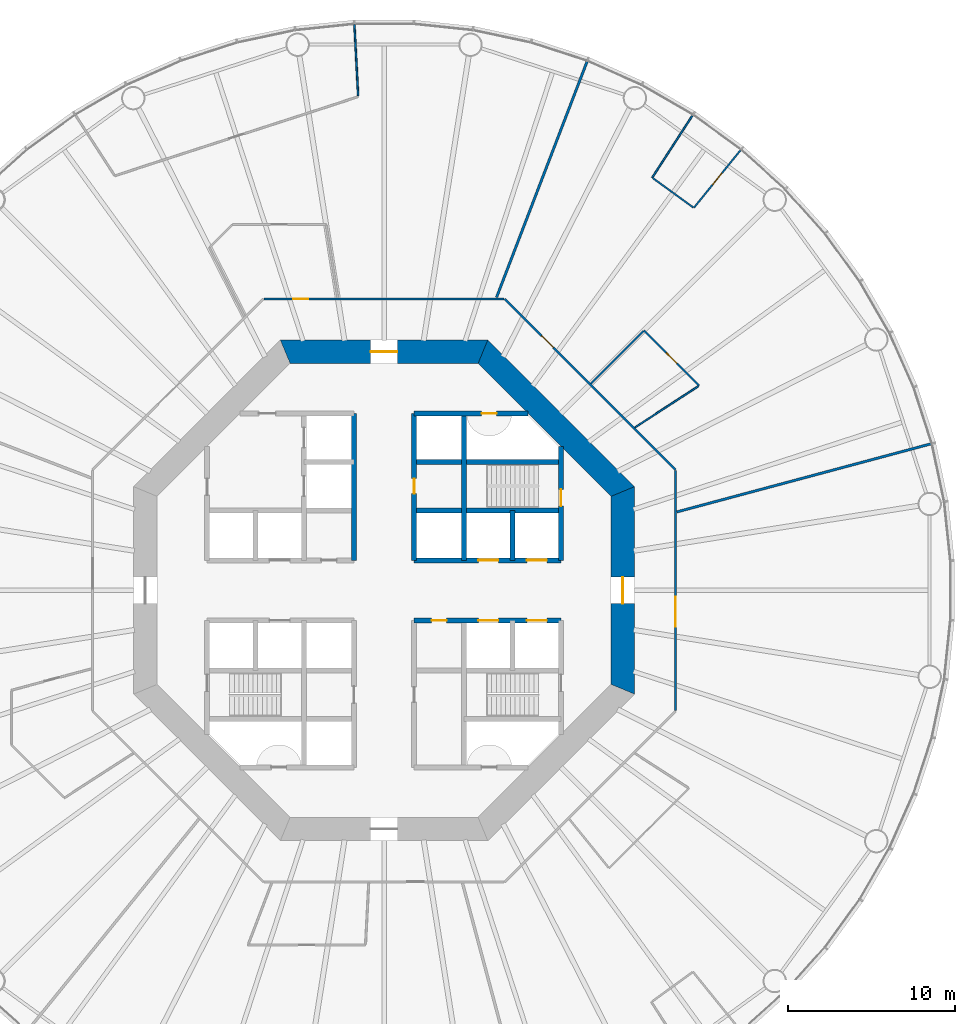
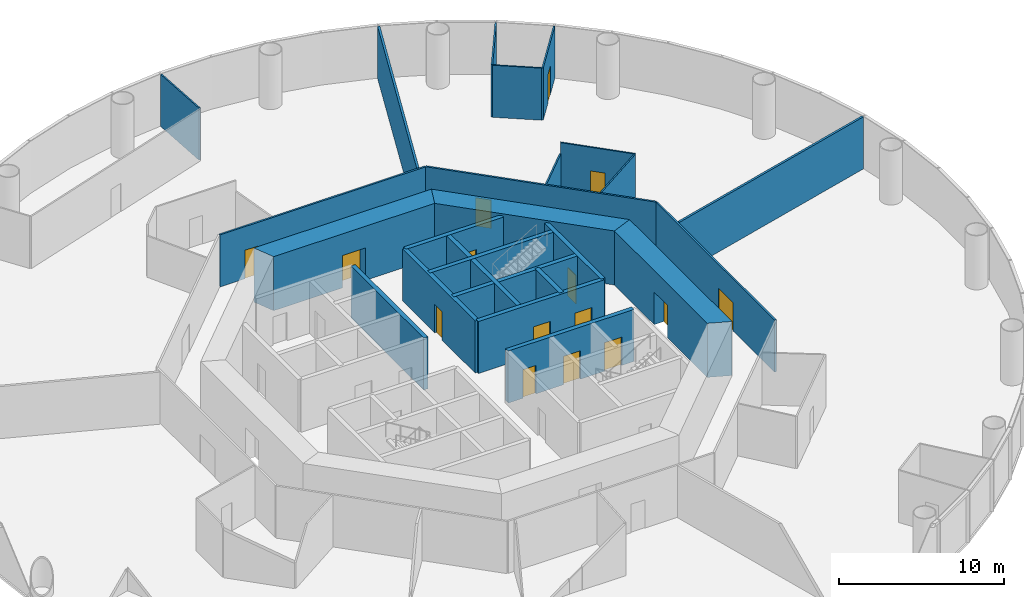
# One storey, part 5 of 13: 25 walls, 15 doors, 15 openings.
"""IFC4 building model written with IfcOpenShell, lengths in metres."""

from ifc_helpers import new_model, si_unit, direction, frame, frame_2d, origin, place, context, subcontext, project, spatial, polyline, rectangle, outline, extrude, material, layer, layer_set, type_object, element, fill, save


model = new_model("IFC4")

# Units and contexts
model_context = context("Model", 3, precision=1e-05, world=origin(), true_north=direction((0.0, 1.0)))
body_context = subcontext(model_context, "Body", "Model", "MODEL_VIEW")
ifc_project = project(units=[si_unit("LENGTHUNIT", "METRE"), si_unit("AREAUNIT", "SQUARE_METRE"), si_unit("VOLUMEUNIT", "CUBIC_METRE"), si_unit("PLANEANGLEUNIT", "RADIAN"), si_unit("MASSUNIT", "GRAM", prefix="KILO")], contexts=[model_context])

# Site, building, storey
site_placement = place(None, origin())
site = spatial("IfcSite", under=ifc_project, at=site_placement, CompositionType="ELEMENT")
building_placement = place(site_placement, origin())
building = spatial("IfcBuilding", under=site, at=building_placement, Name="Entoto Ring Tower", CompositionType="ELEMENT")
storey_placement = place(building_placement, frame((0.0, 0.0, 26.0)))
storey = spatial("IfcBuildingStorey", under=building, at=storey_placement, Name="L04", CompositionType="ELEMENT", Elevation=26.0)

# Wall, opening, door
ifc_material_1 = material(Name="Concrete C40/50", Category="concrete")
ifc_layer_1 = layer(ifc_material_1, 0.300048828125)
ifc_layer_set_1 = layer_set([ifc_layer_1], Name="Concrete C40/50")
wall_type_1 = type_object("IfcWallType", Name="Core enclosure wall 300 mm reinforced concrete", PredefinedType="SOLIDWALL", material=ifc_layer_set_1)
wall_1_placement = place(storey_placement, frame((100.60009765625, 81.800048828125, 0.0), z_axis=(0.0, 0.0, 1.0), x_axis=(0.0, 1.0, 0.0)))
wall_1 = element("IfcWall", 1, at=wall_1_placement, inside=storey, type_object=wall_type_1, Name="wall-L04-002", PredefinedType="SOLIDWALL", context=body_context, shape_type="SweptSolid", body=[
    extrude(rectangle(XDim=6.833251953125, YDim=0.300048828125, at=frame_2d((3.41650390625, 0.0))), origin(), (0.0, 0.0, 1.0), 3.85009765625),
])
opening_1_placement = place(wall_1_placement, frame((3.25, 0.0, 0.0)))
opening_1 = element("IfcOpeningElement", 2, at=opening_1_placement, cuts=wall_1, Name="Opening K-55", PredefinedType="OPENING", context=body_context, shape_type="SweptSolid", body=[
    extrude(rectangle(XDim=1.0, YDim=2.10009765625, at=frame_2d((0.5, 1.050048828125))), frame((0.0, 0.16015625, 0.0), z_axis=(0.0, -1.0, 0.0), x_axis=(1.0, 0.0, 0.0)), (0.0, 0.0, 1.0), 0.320068359375),
])
ifc_material_2 = material(Name="Steel door leaf, fire rated", Category="steel")
ifc_layer_2 = layer(ifc_material_2, 0.050048828125)
ifc_layer_set_2 = layer_set([ifc_layer_2], Name="Steel door leaf, fire rated")
door_type_1 = type_object("IfcDoorType", Name="Fire door FD60 1000 x 2100 single leaf", OperationType="NOTDEFINED", PredefinedType="DOOR", material=ifc_layer_set_2)
door_1_placement = place(opening_1_placement, origin())
door_1 = element("IfcDoor", 3, at=door_1_placement, inside=storey, type_object=door_type_1, Name="Door K-55", OperationType="SINGLE_SWING_LEFT", OverallHeight=2.10009765625, OverallWidth=1.0, PredefinedType="DOOR", context=body_context, shape_type="SweptSolid", body=[
    extrude(rectangle(XDim=1.0, YDim=2.10009765625, at=frame_2d((0.5, 1.050048828125))), frame((0.0, 0.02490234375, 0.0), z_axis=(0.0, -1.0, 0.0), x_axis=(1.0, 0.0, 0.0)), (0.0, 0.0, 1.0), 0.050048828125),
])
fill(opening_1, door_1)

# Walls
wall_2_placement = place(storey_placement, frame((97.699951171875, 81.800048828125, 0.0), z_axis=(0.0, 0.0, 1.0), x_axis=(0.0, 1.0, 0.0)))
element("IfcWall", 4, at=wall_2_placement, inside=storey, type_object=wall_type_1, Name="wall-L04-004", PredefinedType="SOLIDWALL", context=body_context, shape_type="SweptSolid", body=[
    extrude(rectangle(XDim=3.0, YDim=0.300048828125, at=frame_2d((1.5, 0.0))), origin(), (0.0, 0.0, 1.0), 3.85009765625),
])
wall_3_placement = place(storey_placement, frame((94.800048828125, 81.800048828125, 0.0), z_axis=(0.0, 0.0, 1.0), x_axis=(0.0, 1.0, 0.0)))
element("IfcWall", 5, at=wall_3_placement, inside=storey, type_object=wall_type_1, Name="wall-L04-006", PredefinedType="SOLIDWALL", context=body_context, shape_type="SweptSolid", body=[
    extrude(rectangle(XDim=8.800048828125, YDim=0.300048828125, at=frame_2d((4.39990234375, 0.0))), origin(), (0.0, 0.0, 1.0), 3.85009765625),
])

# Wall, opening, door
wall_4_placement = place(storey_placement, frame((91.800048828125, 81.800048828125, 0.0), z_axis=(0.0, 0.0, 1.0), x_axis=(0.0, 1.0, 0.0)))
wall_4 = element("IfcWall", 6, at=wall_4_placement, inside=storey, type_object=wall_type_1, Name="wall-L04-008", PredefinedType="SOLIDWALL", context=body_context, shape_type="SweptSolid", body=[
    extrude(rectangle(XDim=8.800048828125, YDim=0.300048828125, at=frame_2d((4.39990234375, 0.0))), origin(), (0.0, 0.0, 1.0), 3.85009765625),
])
opening_2_placement = place(wall_4_placement, frame((4.0, 0.0, 0.0)))
opening_2 = element("IfcOpeningElement", 7, at=opening_2_placement, cuts=wall_4, Name="Opening K-11", PredefinedType="OPENING", context=body_context, shape_type="SweptSolid", body=[
    extrude(rectangle(XDim=0.89990234375, YDim=2.10009765625, at=frame_2d((0.449951171875, 1.050048828125))), frame((0.0, 0.16015625, 0.0), z_axis=(0.0, -1.0, 0.0), x_axis=(1.0, 0.0, 0.0)), (0.0, 0.0, 1.0), 0.320068359375),
])
ifc_material_3 = material(Name="Steel door leaf, fire rated", Category="steel")
ifc_layer_3 = layer(ifc_material_3, 0.050048828125)
ifc_layer_set_3 = layer_set([ifc_layer_3], Name="Steel door leaf, fire rated")
door_type_2 = type_object("IfcDoorType", Name="Core door 900 x 2100 single leaf", OperationType="NOTDEFINED", PredefinedType="DOOR", material=ifc_layer_set_3)
door_2_placement = place(opening_2_placement, origin())
door_2 = element("IfcDoor", 8, at=door_2_placement, inside=storey, type_object=door_type_2, Name="Door K-11", OperationType="SINGLE_SWING_RIGHT", OverallHeight=2.10009765625, OverallWidth=0.89990234375, PredefinedType="DOOR", context=body_context, shape_type="SweptSolid", body=[
    extrude(rectangle(XDim=0.89990234375, YDim=2.10009765625, at=frame_2d((0.449951171875, 1.050048828125))), frame((0.0, 0.02490234375, 0.0), z_axis=(0.0, -1.0, 0.0), x_axis=(1.0, 0.0, 0.0)), (0.0, 0.0, 1.0), 0.050048828125),
])
fill(opening_2, door_2)

# Wall
wall_5_placement = place(storey_placement, frame((88.199951171875, 81.800048828125, 0.0), z_axis=(0.0, 0.0, 1.0), x_axis=(0.0, 1.0, 0.0)))
element("IfcWall", 9, at=wall_5_placement, inside=storey, type_object=wall_type_1, Name="wall-L04-010", PredefinedType="SOLIDWALL", context=body_context, shape_type="SweptSolid", body=[
    extrude(rectangle(XDim=8.800048828125, YDim=0.300048828125, at=frame_2d((4.39990234375, 0.0))), origin(), (0.0, 0.0, 1.0), 3.85009765625),
])

# Wall, openings, doors
wall_6_placement = place(storey_placement, frame((91.800048828125, 78.199951171875, 0.0), z_axis=(0.0, 0.0, 1.0), x_axis=(1.0, 0.0, 0.0)))
wall_6 = element("IfcWall", 10, at=wall_6_placement, inside=storey, type_object=wall_type_1, Name="wall-L04-024", PredefinedType="SOLIDWALL", context=body_context, shape_type="SweptSolid", body=[
    extrude(rectangle(XDim=8.800048828125, YDim=0.300048828125, at=frame_2d((4.39990234375, 0.0))), origin(), (0.0, 0.0, 1.0), 3.85009765625),
])
opening_3_placement = place(wall_6_placement, frame((3.85009765625, 0.0, 0.0)))
opening_3 = element("IfcOpeningElement", 11, at=opening_3_placement, cuts=wall_6, Name="Opening LD", PredefinedType="OPENING", context=body_context, shape_type="SweptSolid", body=[
    extrude(rectangle(XDim=1.199951171875, YDim=2.10009765625, at=frame_2d((0.60009765625, 1.050048828125))), frame((0.0, 0.16015625, 0.0), z_axis=(0.0, -1.0, 0.0), x_axis=(1.0, 0.0, 0.0)), (0.0, 0.0, 1.0), 0.320068359375),
])
opening_4_placement = place(wall_6_placement, frame((6.75, 0.0, 0.0)))
opening_4 = element("IfcOpeningElement", 12, at=opening_4_placement, cuts=wall_6, Name="Opening LD", PredefinedType="OPENING", context=body_context, shape_type="SweptSolid", body=[
    extrude(rectangle(XDim=1.199951171875, YDim=2.10009765625, at=frame_2d((0.60009765625, 1.050048828125))), frame((0.0, 0.16015625, 0.0), z_axis=(0.0, -1.0, 0.0), x_axis=(1.0, 0.0, 0.0)), (0.0, 0.0, 1.0), 0.320068359375),
])
opening_5_placement = place(wall_6_placement, frame((1.050048828125, 0.0, 0.0)))
opening_5 = element("IfcOpeningElement", 13, at=opening_5_placement, cuts=wall_6, Name="Opening K-15", PredefinedType="OPENING", context=body_context, shape_type="SweptSolid", body=[
    extrude(rectangle(XDim=0.89990234375, YDim=2.10009765625, at=frame_2d((0.449951171875, 1.050048828125))), frame((0.0, 0.16015625, 0.0), z_axis=(0.0, -1.0, 0.0), x_axis=(1.0, 0.0, 0.0)), (0.0, 0.0, 1.0), 0.320068359375),
])
door_3_placement = place(opening_5_placement, frame((0.89990234375, 0.0, 0.0), z_axis=(0.0, 0.0, 1.0), x_axis=(-1.0, 0.0, 0.0)))
door_3 = element("IfcDoor", 14, at=door_3_placement, inside=storey, type_object=door_type_2, Name="Door K-15", OperationType="SINGLE_SWING_RIGHT", OverallHeight=2.10009765625, OverallWidth=0.89990234375, PredefinedType="DOOR", context=body_context, shape_type="SweptSolid", body=[
    extrude(rectangle(XDim=0.89990234375, YDim=2.10009765625, at=frame_2d((0.449951171875, 1.050048828125))), frame((0.0, 0.02490234375, 0.0), z_axis=(0.0, -1.0, 0.0), x_axis=(1.0, 0.0, 0.0)), (0.0, 0.0, 1.0), 0.050048828125),
])
fill(opening_5, door_3)
ifc_material_4 = material(Name="Steel and glass door leaf", Category="steel")
ifc_layer_4 = layer(ifc_material_4, 0.050048828125)
ifc_layer_set_4 = layer_set([ifc_layer_4], Name="Steel and glass door leaf")
door_type_3 = type_object("IfcDoorType", Name="Landing door 1200 x 2100 sliding", OperationType="DOUBLE_DOOR_SLIDING", PredefinedType="DOOR", material=ifc_layer_set_4)
door_4_placement = place(opening_3_placement, origin())
door_4 = element("IfcDoor", 15, at=door_4_placement, inside=storey, type_object=door_type_3, Name="Landing door LB4-LR", OperationType="SLIDING_TO_RIGHT", OverallHeight=2.10009765625, OverallWidth=1.199951171875, PredefinedType="DOOR", context=body_context, shape_type="SweptSolid", body=[
    extrude(rectangle(XDim=1.199951171875, YDim=2.10009765625, at=frame_2d((0.60009765625, 1.050048828125))), frame((0.0, 0.02490234375, 0.0), z_axis=(0.0, -1.0, 0.0), x_axis=(1.0, 0.0, 0.0)), (0.0, 0.0, 1.0), 0.050048828125),
])
fill(opening_3, door_4)
door_5_placement = place(opening_4_placement, origin())
door_5 = element("IfcDoor", 16, at=door_5_placement, inside=storey, type_object=door_type_3, Name="Landing door LB5-LR", OperationType="SLIDING_TO_RIGHT", OverallHeight=2.10009765625, OverallWidth=1.199951171875, PredefinedType="DOOR", context=body_context, shape_type="SweptSolid", body=[
    extrude(rectangle(XDim=1.199951171875, YDim=2.10009765625, at=frame_2d((0.60009765625, 1.050048828125))), frame((0.0, 0.02490234375, 0.0), z_axis=(0.0, -1.0, 0.0), x_axis=(1.0, 0.0, 0.0)), (0.0, 0.0, 1.0), 0.050048828125),
])
fill(opening_4, door_5)

wall_7_placement = place(storey_placement, frame((91.800048828125, 81.800048828125, 0.0), z_axis=(0.0, 0.0, 1.0), x_axis=(1.0, 0.0, 0.0)))
wall_7 = element("IfcWall", 17, at=wall_7_placement, inside=storey, type_object=wall_type_1, Name="wall-L04-026", PredefinedType="SOLIDWALL", context=body_context, shape_type="SweptSolid", body=[
    extrude(rectangle(XDim=8.800048828125, YDim=0.300048828125, at=frame_2d((4.39990234375, 0.0))), origin(), (0.0, 0.0, 1.0), 3.85009765625),
])
opening_6_placement = place(wall_7_placement, frame((3.85009765625, 0.0, 0.0)))
opening_6 = element("IfcOpeningElement", 18, at=opening_6_placement, cuts=wall_7, Name="Opening LD", PredefinedType="OPENING", context=body_context, shape_type="SweptSolid", body=[
    extrude(rectangle(XDim=1.199951171875, YDim=2.10009765625, at=frame_2d((0.60009765625, 1.050048828125))), frame((0.0, 0.16015625, 0.0), z_axis=(0.0, -1.0, 0.0), x_axis=(1.0, 0.0, 0.0)), (0.0, 0.0, 1.0), 0.320068359375),
])
opening_7_placement = place(wall_7_placement, frame((6.75, 0.0, 0.0)))
opening_7 = element("IfcOpeningElement", 19, at=opening_7_placement, cuts=wall_7, Name="Opening LD", PredefinedType="OPENING", context=body_context, shape_type="SweptSolid", body=[
    extrude(rectangle(XDim=1.199951171875, YDim=2.10009765625, at=frame_2d((0.60009765625, 1.050048828125))), frame((0.0, 0.16015625, 0.0), z_axis=(0.0, -1.0, 0.0), x_axis=(1.0, 0.0, 0.0)), (0.0, 0.0, 1.0), 0.320068359375),
])
door_6_placement = place(opening_6_placement, origin())
door_6 = element("IfcDoor", 20, at=door_6_placement, inside=storey, type_object=door_type_3, Name="Landing door LB1-LR", OperationType="SLIDING_TO_RIGHT", OverallHeight=2.10009765625, OverallWidth=1.199951171875, PredefinedType="DOOR", context=body_context, shape_type="SweptSolid", body=[
    extrude(rectangle(XDim=1.199951171875, YDim=2.10009765625, at=frame_2d((0.60009765625, 1.050048828125))), frame((0.0, 0.02490234375, 0.0), z_axis=(0.0, -1.0, 0.0), x_axis=(1.0, 0.0, 0.0)), (0.0, 0.0, 1.0), 0.050048828125),
])
fill(opening_6, door_6)
door_7_placement = place(opening_7_placement, origin())
door_7 = element("IfcDoor", 21, at=door_7_placement, inside=storey, type_object=door_type_3, Name="Landing door LB2-LR", OperationType="SLIDING_TO_RIGHT", OverallHeight=2.10009765625, OverallWidth=1.199951171875, PredefinedType="DOOR", context=body_context, shape_type="SweptSolid", body=[
    extrude(rectangle(XDim=1.199951171875, YDim=2.10009765625, at=frame_2d((0.60009765625, 1.050048828125))), frame((0.0, 0.02490234375, 0.0), z_axis=(0.0, -1.0, 0.0), x_axis=(1.0, 0.0, 0.0)), (0.0, 0.0, 1.0), 0.050048828125),
])
fill(opening_7, door_7)

# Walls
for number, where, z_axis, x_axis, name in (
    (22, (91.800048828125, 84.800048828125, 0.0), (0.0, 0.0, 1.0), (1.0, 0.0, 0.0), "wall-L04-028"),
    (23, (91.800048828125, 87.699951171875, 0.0), (0.0, 0.0, 1.0), (1.0, 0.0, 0.0), "wall-L04-030"),
):
    element("IfcWall", number, at=place(storey_placement, frame(where, z_axis=z_axis, x_axis=x_axis)), inside=storey, type_object=wall_type_1, Name=name, PredefinedType="SOLIDWALL", context=body_context, shape_type="SweptSolid", body=[
        extrude(rectangle(XDim=8.800048828125, YDim=0.300048828125, at=frame_2d((4.39990234375, 0.0))), origin(), (0.0, 0.0, 1.0), 3.85009765625),
    ])

# Wall, opening, door
wall_8_placement = place(storey_placement, frame((91.800048828125, 90.60009765625, 0.0), z_axis=(0.0, 0.0, 1.0), x_axis=(1.0, 0.0, 0.0)))
wall_8 = element("IfcWall", 24, at=wall_8_placement, inside=storey, type_object=wall_type_1, Name="wall-L04-032", PredefinedType="SOLIDWALL", context=body_context, shape_type="SweptSolid", body=[
    extrude(rectangle(XDim=6.833251953125, YDim=0.300048828125, at=frame_2d((3.41650390625, 0.0))), origin(), (0.0, 0.0, 1.0), 3.85009765625),
])
opening_8_placement = place(wall_8_placement, frame((4.050048828125, 0.0, 0.0)))
opening_8 = element("IfcOpeningElement", 25, at=opening_8_placement, cuts=wall_8, Name="Opening K-62", PredefinedType="OPENING", context=body_context, shape_type="SweptSolid", body=[
    extrude(rectangle(XDim=0.89990234375, YDim=2.10009765625, at=frame_2d((0.449951171875, 1.050048828125))), frame((0.0, 0.16015625, 0.0), z_axis=(0.0, -1.0, 0.0), x_axis=(1.0, 0.0, 0.0)), (0.0, 0.0, 1.0), 0.320068359375),
])
ifc_material_5 = material(Name="Steel door leaf, fire rated", Category="steel")
ifc_layer_5 = layer(ifc_material_5, 0.050048828125)
ifc_layer_set_5 = layer_set([ifc_layer_5], Name="Steel door leaf, fire rated")
door_type_4 = type_object("IfcDoorType", Name="Riser door FD60 900 x 2100 single leaf", OperationType="NOTDEFINED", PredefinedType="DOOR", material=ifc_layer_set_5)
door_8_placement = place(opening_8_placement, frame((0.89990234375, 0.0, 0.0), z_axis=(0.0, 0.0, 1.0), x_axis=(-1.0, 0.0, 0.0)))
door_8 = element("IfcDoor", 26, at=door_8_placement, inside=storey, type_object=door_type_4, Name="Door K-62", OperationType="SINGLE_SWING_LEFT", OverallHeight=2.10009765625, OverallWidth=0.89990234375, PredefinedType="DOOR", context=body_context, shape_type="SweptSolid", body=[
    extrude(rectangle(XDim=0.89990234375, YDim=2.10009765625, at=frame_2d((0.449951171875, 1.050048828125))), frame((0.0, 0.02490234375, 0.0), z_axis=(0.0, -1.0, 0.0), x_axis=(1.0, 0.0, 0.0)), (0.0, 0.0, 1.0), 0.050048828125),
])
fill(opening_8, door_8)

ifc_material_6 = material(Name="Concrete C60/75", Category="concrete")
ifc_layer_6 = layer(ifc_material_6, 1.39990234375)
ifc_layer_set_6 = layer_set([ifc_layer_6], Name="Concrete C60/75")
wall_type_2 = type_object("IfcWallType", Name="Core shear wall 1400 mm reinforced concrete C60/75", PredefinedType="SHEAR", material=ifc_layer_set_6)
wall_9_placement = place(storey_placement, frame((104.300048828125, 74.07666015625, 0.0), z_axis=(0.0, 0.0, 1.0), x_axis=(0.0, 1.0, 0.0)))
wall_9 = element("IfcWall", 27, at=wall_9_placement, inside=storey, type_object=wall_type_2, Name="wall-L04-core-0", PredefinedType="SHEAR", context=body_context, shape_type="SweptSolid", body=[
    extrude(outline(polyline([(-0.2900390625, -0.699951171875), (12.13671875, -0.699951171875), (11.556640625, 0.699951171875), (0.2900390625, 0.699951171875), (-0.2900390625, -0.699951171875)])), origin(), (0.0, 0.0, 1.0), 4.0),
])
opening_9_placement = place(wall_9_placement, frame((5.123291015625, 0.0, 0.0)))
opening_9 = element("IfcOpeningElement", 28, at=opening_9_placement, cuts=wall_9, Name="Opening K-01", PredefinedType="OPENING", context=body_context, shape_type="SweptSolid", body=[
    extrude(rectangle(XDim=1.60009765625, YDim=2.39990234375, at=frame_2d((0.800048828125, 1.199951171875))), frame((0.0, 0.7099609375, 0.0), z_axis=(0.0, -1.0, 0.0), x_axis=(1.0, 0.0, 0.0)), (0.0, 0.0, 1.0), 1.419921875),
])
ifc_material_7 = material(Name="Steel door leaf, fire rated", Category="steel")
ifc_layer_7 = layer(ifc_material_7, 0.050048828125)
ifc_layer_set_7 = layer_set([ifc_layer_7], Name="Steel door leaf, fire rated")
door_type_5 = type_object("IfcDoorType", Name="Entrance door FD60 1600 x 2400 double leaf", OperationType="DOUBLE_DOOR_SINGLE_SWING", PredefinedType="DOOR", material=ifc_layer_set_7)
door_9_placement = place(opening_9_placement, origin())
door_9 = element("IfcDoor", 29, at=door_9_placement, inside=storey, type_object=door_type_5, Name="Entrance door K-01", OperationType="DOUBLE_DOOR_SINGLE_SWING", OverallHeight=2.39990234375, OverallWidth=1.60009765625, PredefinedType="DOOR", context=body_context, shape_type="SweptSolid", body=[
    extrude(rectangle(XDim=1.60009765625, YDim=2.39990234375, at=frame_2d((0.800048828125, 1.199951171875))), frame((0.0, 0.02490234375, 0.0), z_axis=(0.0, -1.0, 0.0), x_axis=(1.0, 0.0, 0.0)), (0.0, 0.0, 1.0), 0.050048828125),
])
fill(opening_9, door_9)

# Wall
wall_10_placement = place(storey_placement, frame((104.300048828125, 85.92333984375, 0.0), z_axis=(0.0, 0.0, 1.0), x_axis=(-0.707106781187, 0.707106781187, 0.0)))
element("IfcWall", 30, at=wall_10_placement, inside=storey, type_object=wall_type_2, Name="wall-L04-core-1", PredefinedType="SHEAR", context=body_context, shape_type="SweptSolid", body=[
    extrude(outline(polyline([(-0.2900390625, -0.699951171875), (12.136474609375, -0.699951171875), (11.556396484375, 0.699951171875), (0.2900390625, 0.699951171875), (-0.2900390625, -0.699951171875)])), origin(), (0.0, 0.0, 1.0), 4.0),
])

# Wall, opening, door
wall_11_placement = place(storey_placement, frame((95.92333984375, 94.300048828125, 0.0), z_axis=(0.0, 0.0, 1.0), x_axis=(-1.0, 0.0, 0.0)))
wall_11 = element("IfcWall", 31, at=wall_11_placement, inside=storey, type_object=wall_type_2, Name="wall-L04-core-2", PredefinedType="SHEAR", context=body_context, shape_type="SweptSolid", body=[
    extrude(outline(polyline([(-0.2900390625, -0.699951171875), (12.13671875, -0.699951171875), (11.556640625, 0.699951171875), (0.2900390625, 0.699951171875), (-0.2900390625, -0.699951171875)])), origin(), (0.0, 0.0, 1.0), 4.0),
])
opening_10_placement = place(wall_11_placement, frame((5.123291015625, 0.0, 0.0)))
opening_10 = element("IfcOpeningElement", 32, at=opening_10_placement, cuts=wall_11, Name="Opening K-02", PredefinedType="OPENING", context=body_context, shape_type="SweptSolid", body=[
    extrude(rectangle(XDim=1.60009765625, YDim=2.39990234375, at=frame_2d((0.800048828125, 1.199951171875))), frame((0.0, 0.7099609375, 0.0), z_axis=(0.0, -1.0, 0.0), x_axis=(1.0, 0.0, 0.0)), (0.0, 0.0, 1.0), 1.419921875),
])
door_10_placement = place(opening_10_placement, origin())
door_10 = element("IfcDoor", 33, at=door_10_placement, inside=storey, type_object=door_type_5, Name="Entrance door K-02", OperationType="DOUBLE_DOOR_SINGLE_SWING", OverallHeight=2.39990234375, OverallWidth=1.60009765625, PredefinedType="DOOR", context=body_context, shape_type="SweptSolid", body=[
    extrude(rectangle(XDim=1.60009765625, YDim=2.39990234375, at=frame_2d((0.800048828125, 1.199951171875))), frame((0.0, 0.02490234375, 0.0), z_axis=(0.0, -1.0, 0.0), x_axis=(1.0, 0.0, 0.0)), (0.0, 0.0, 1.0), 0.050048828125),
])
fill(opening_10, door_10)

ifc_material_8 = material(Name="Fire-resisting plasterboard on steel studs", Category="steel")
ifc_layer_8 = layer(ifc_material_8, 0.125)
ifc_layer_set_8 = layer_set([ifc_layer_8], Name="Fire-resisting plasterboard on steel studs")
wall_type_3 = type_object("IfcWallType", Name="Corridor wall 125 mm one-hour plasterboard on steel studs", PredefinedType="PARTITIONING", material=ifc_layer_set_8)
wall_12_placement = place(storey_placement, frame((107.46240234375, 87.233154296875, 0.0), z_axis=(0.0, 0.0, 1.0), x_axis=(-0.707106781187, 0.707106781187, 0.0)))
wall_12 = element("IfcWall", 34, at=wall_12_placement, inside=storey, type_object=wall_type_3, Name="partition-L04-004", PredefinedType="PARTITIONING", context=body_context, shape_type="SweptSolid", body=[
    extrude(rectangle(XDim=14.46630859375, YDim=0.125, at=frame_2d((7.233154296875, 0.0))), origin(), (0.0, 0.0, 1.0), 3.85009765625),
])
opening_11_placement = place(wall_12_placement, frame((10.349853515625, 0.0, 0.0)))
opening_11 = element("IfcOpeningElement", 35, at=opening_11_placement, cuts=wall_12, Name="Opening A02-D14", PredefinedType="OPENING", context=body_context, shape_type="SweptSolid", body=[
    extrude(rectangle(XDim=1.0, YDim=2.10009765625, at=frame_2d((0.5, 1.050048828125))), frame((0.0, 0.072509765625, 0.0), z_axis=(0.0, -1.0, 0.0), x_axis=(1.0, 0.0, 0.0)), (0.0, 0.0, 1.0), 0.14501953125),
])
ifc_material_9 = material(Name="Fire-resisting timber door set", Category="wood")
door_type_6 = type_object("IfcDoorType", Name="Door 1000 x 2100 single leaf FD30S fire door", OperationType="NOTDEFINED", PredefinedType="DOOR", material=ifc_material_9)
door_11_placement = place(opening_11_placement, frame((1.0, 0.0, 0.0), z_axis=(0.0, 0.0, 1.0), x_axis=(-1.0, 0.0, 0.0)))
door_11 = element("IfcDoor", 36, at=door_11_placement, inside=storey, type_object=door_type_6, Name="Door A02-D14", OperationType="SINGLE_SWING_RIGHT", OverallHeight=2.10009765625, OverallWidth=1.0, PredefinedType="DOOR", context=body_context, shape_type="SweptSolid", body=[
    extrude(rectangle(XDim=1.0, YDim=2.10009765625, at=frame_2d((0.5, 1.050048828125))), frame((0.0, 0.02490234375, 0.0), z_axis=(0.0, -1.0, 0.0), x_axis=(1.0, 0.0, 0.0)), (0.0, 0.0, 1.0), 0.050048828125),
])
fill(opening_11, door_11)

wall_13_placement = place(storey_placement, frame((82.810791015625, 97.46240234375, 0.0), z_axis=(0.0, 0.0, 1.0), x_axis=(1.0, 0.0, 0.0)))
wall_13 = element("IfcWall", 37, at=wall_13_placement, inside=storey, type_object=wall_type_3, Name="partition-L04-007", PredefinedType="PARTITIONING", context=body_context, shape_type="SweptSolid", body=[
    extrude(rectangle(XDim=14.37841796875, YDim=0.125, at=frame_2d((7.189208984375, 0.0))), origin(), (0.0, 0.0, 1.0), 3.85009765625),
])
opening_12_placement = place(wall_13_placement, frame((1.73974609375, 0.0, 0.0)))
opening_12 = element("IfcOpeningElement", 38, at=opening_12_placement, cuts=wall_13, Name="Opening A02-D03", PredefinedType="OPENING", context=body_context, shape_type="SweptSolid", body=[
    extrude(rectangle(XDim=0.89990234375, YDim=2.10009765625, at=frame_2d((0.449951171875, 1.050048828125))), frame((0.0, 0.072509765625, 0.0), z_axis=(0.0, -1.0, 0.0), x_axis=(1.0, 0.0, 0.0)), (0.0, 0.0, 1.0), 0.14501953125),
])
door_12_placement = place(opening_12_placement, origin())
door_12 = element("IfcDoor", 39, at=door_12_placement, inside=storey, type_object=door_type_6, Name="Door A02-D03", OperationType="SINGLE_SWING_RIGHT", OverallHeight=2.10009765625, OverallWidth=0.89990234375, PredefinedType="DOOR", context=body_context, shape_type="SweptSolid", body=[
    extrude(rectangle(XDim=0.89990234375, YDim=2.10009765625, at=frame_2d((0.449951171875, 1.050048828125))), frame((0.0, 0.02490234375, 0.0), z_axis=(0.0, -1.0, 0.0), x_axis=(1.0, 0.0, 0.0)), (0.0, 0.0, 1.0), 0.050048828125),
])
fill(opening_12, door_12)

wall_14_placement = place(storey_placement, frame((107.46240234375, 72.810791015625, 0.0), z_axis=(0.0, 0.0, 1.0), x_axis=(0.0, 1.0, 0.0)))
wall_14 = element("IfcWall", 40, at=wall_14_placement, inside=storey, type_object=wall_type_3, Name="partition-L04-008", PredefinedType="PARTITIONING", context=body_context, shape_type="SweptSolid", body=[
    extrude(rectangle(XDim=14.37841796875, YDim=0.125, at=frame_2d((7.189208984375, 0.0))), origin(), (0.0, 0.0, 1.0), 3.85009765625),
])
opening_13_placement = place(wall_14_placement, frame((5.01220703125, 0.0, 0.0)))
opening_13 = element("IfcOpeningElement", 41, at=opening_13_placement, cuts=wall_14, Name="Opening A02-D11", PredefinedType="OPENING", context=body_context, shape_type="SweptSolid", body=[
    extrude(rectangle(XDim=1.800048828125, YDim=2.10009765625, at=frame_2d((0.89990234375, 1.050048828125))), frame((0.0, 0.072509765625, 0.0), z_axis=(0.0, -1.0, 0.0), x_axis=(1.0, 0.0, 0.0)), (0.0, 0.0, 1.0), 0.14501953125),
])
ifc_material_10 = material(Name="Fire-resisting timber door set", Category="wood")
door_type_7 = type_object("IfcDoorType", Name="Door 1800 x 2100 double leaf FD30S fire door", OperationType="DOUBLE_DOOR_SINGLE_SWING", PredefinedType="DOOR", material=ifc_material_10)
door_13_placement = place(opening_13_placement, origin())
door_13 = element("IfcDoor", 42, at=door_13_placement, inside=storey, type_object=door_type_7, Name="Door A02-D11", OperationType="DOUBLE_DOOR_SINGLE_SWING", OverallHeight=2.10009765625, OverallWidth=1.800048828125, PredefinedType="DOOR", context=body_context, shape_type="SweptSolid", body=[
    extrude(rectangle(XDim=1.800048828125, YDim=2.10009765625, at=frame_2d((0.89990234375, 1.050048828125))), frame((0.0, 0.02490234375, 0.0), z_axis=(0.0, -1.0, 0.0), x_axis=(1.0, 0.0, 0.0)), (0.0, 0.0, 1.0), 0.050048828125),
])
fill(opening_13, door_13)

ifc_material_11 = material(Name="Plasterboard on steel studs", Category="steel")
ifc_layer_9 = layer(ifc_material_11, 0.10009765625)
ifc_layer_set_9 = layer_set([ifc_layer_9], Name="Plasterboard on steel studs")
wall_type_4 = type_object("IfcWallType", Name="Partition 100 mm plasterboard on steel studs", PredefinedType="PARTITIONING", material=ifc_layer_set_9)
wall_15_placement = place(storey_placement, frame((108.882080078125, 92.26220703125, 0.0), z_axis=(0.0, 0.0, 1.0), x_axis=(-0.707080702639, 0.707132858772, 0.0)))
wall_15 = element("IfcWall", 43, at=wall_15_placement, inside=storey, type_object=wall_type_4, Name="partition-L04-025", PredefinedType="PARTITIONING", context=body_context, shape_type="SweptSolid", body=[
    extrude(rectangle(XDim=4.680908203125, YDim=0.10009765625, at=frame_2d((2.34033203125, 0.0))), origin(), (0.0, 0.0, 1.0), 3.85009765625),
])
opening_14_placement = place(wall_15_placement, frame((1.890380859375, 0.0, 0.0)))
opening_14 = element("IfcOpeningElement", 44, at=opening_14_placement, cuts=wall_15, Name="Opening A02-D15", PredefinedType="OPENING", context=body_context, shape_type="SweptSolid", body=[
    extrude(rectangle(XDim=0.89990234375, YDim=2.10009765625, at=frame_2d((0.449951171875, 1.050048828125))), frame((0.0, 0.06005859375, 0.0), z_axis=(0.0, -1.0, 0.0), x_axis=(1.0, 0.0, 0.0)), (0.0, 0.0, 1.0), 0.1201171875),
])
ifc_material_12 = material(Name="Veneered timber door leaf in timber frame", Category="wood")
door_type_8 = type_object("IfcDoorType", Name="Door 900 x 2100 single leaf timber veneer", OperationType="NOTDEFINED", PredefinedType="DOOR", material=ifc_material_12)
door_14_placement = place(opening_14_placement, origin())
door_14 = element("IfcDoor", 45, at=door_14_placement, inside=storey, type_object=door_type_8, Name="Door A02-D15", OperationType="SINGLE_SWING_LEFT", OverallHeight=2.10009765625, OverallWidth=0.89990234375, PredefinedType="DOOR", context=body_context, shape_type="SweptSolid", body=[
    extrude(rectangle(XDim=0.89990234375, YDim=2.10009765625, at=frame_2d((0.449951171875, 1.050048828125))), frame((0.0, 0.02490234375, 0.0), z_axis=(0.0, -1.0, 0.0), x_axis=(1.0, 0.0, 0.0)), (0.0, 0.0, 1.0), 0.050048828125),
])
fill(opening_14, door_14)

# Wall
wall_16_placement = place(storey_placement, frame((105.034912109375, 89.763916015625, 0.0), z_axis=(0.0, 0.0, 1.0), x_axis=(0.838678941952, 0.544626139959, 0.0)))
element("IfcWall", 46, at=wall_16_placement, inside=storey, type_object=wall_type_4, Name="partition-L04-026", PredefinedType="PARTITIONING", context=body_context, shape_type="SweptSolid", body=[
    extrude(rectangle(XDim=4.525634765625, YDim=0.10009765625, at=frame_2d((2.2626953125, 0.0))), origin(), (0.0, 0.0, 1.0), 3.85009765625),
])

# Wall, opening, door
wall_17_placement = place(storey_placement, frame((108.55859375, 102.91796875, 0.0), z_axis=(0.0, 0.0, 1.0), x_axis=(0.629333948736, 0.777134982464, 0.0)))
wall_17 = element("IfcWall", 47, at=wall_17_placement, inside=storey, type_object=wall_type_4, Name="partition-L04-032", PredefinedType="PARTITIONING", context=body_context, shape_type="SweptSolid", body=[
    extrude(rectangle(XDim=4.449951171875, YDim=0.10009765625, at=frame_2d((2.22509765625, 0.0))), origin(), (0.0, 0.0, 1.0), 3.85009765625),
])
opening_15_placement = place(wall_17_placement, frame((1.77490234375, 0.0, 0.0)))
opening_15 = element("IfcOpeningElement", 48, at=opening_15_placement, cuts=wall_17, Name="Opening A02-D16", PredefinedType="OPENING", context=body_context, shape_type="SweptSolid", body=[
    extrude(rectangle(XDim=0.89990234375, YDim=2.10009765625, at=frame_2d((0.449951171875, 1.050048828125))), frame((0.0, 0.06005859375, 0.0), z_axis=(0.0, -1.0, 0.0), x_axis=(1.0, 0.0, 0.0)), (0.0, 0.0, 1.0), 0.1201171875),
])
door_15_placement = place(opening_15_placement, origin())
door_15 = element("IfcDoor", 49, at=door_15_placement, inside=storey, type_object=door_type_8, Name="Door A02-D16", OperationType="SINGLE_SWING_RIGHT", OverallHeight=2.10009765625, OverallWidth=0.89990234375, PredefinedType="DOOR", context=body_context, shape_type="SweptSolid", body=[
    extrude(rectangle(XDim=0.89990234375, YDim=2.10009765625, at=frame_2d((0.449951171875, 1.050048828125))), frame((0.0, 0.02490234375, 0.0), z_axis=(0.0, -1.0, 0.0), x_axis=(1.0, 0.0, 0.0)), (0.0, 0.0, 1.0), 0.050048828125),
])
fill(opening_15, door_15)

# Walls
wall_18_placement = place(storey_placement, frame((106.061279296875, 104.732421875, 0.0), z_axis=(0.0, 0.0, 1.0), x_axis=(0.544658564823, 0.838657884816, 0.0)))
element("IfcWall", 50, at=wall_18_placement, inside=storey, type_object=wall_type_4, Name="partition-L04-033", PredefinedType="PARTITIONING", context=body_context, shape_type="SweptSolid", body=[
    extrude(rectangle(XDim=4.4501953125, YDim=0.10009765625, at=frame_2d((2.22509765625, 0.0))), origin(), (0.0, 0.0, 1.0), 3.85009765625),
])
wall_19_placement = place(storey_placement, frame((88.447265625, 109.62744140625, 0.0), z_axis=(0.0, 0.0, 1.0), x_axis=(-0.05234886312, 0.99862885825, 0.0)))
element("IfcWall", 51, at=wall_19_placement, inside=storey, type_object=wall_type_4, Name="partition-L04-037", PredefinedType="PARTITIONING", context=body_context, shape_type="SweptSolid", body=[
    extrude(rectangle(XDim=4.27197265625, YDim=0.10009765625, at=frame_2d((2.135986328125, 0.0))), origin(), (0.0, 0.0, 1.0), 3.85009765625),
])
wall_20_placement = place(storey_placement, frame((108.518310546875, 102.947509765625, 0.0), z_axis=(0.0, 0.0, 1.0), x_axis=(-0.809068219654, 0.587714740282, 0.0)))
element("IfcWall", 52, at=wall_20_placement, inside=storey, type_object=wall_type_4, Name="partition-L04-043", PredefinedType="PARTITIONING", context=body_context, shape_type="SweptSolid", body=[
    extrude(rectangle(XDim=2.98681640625, YDim=0.10009765625, at=frame_2d((1.493408203125, 0.0))), origin(), (0.0, 0.0, 1.0), 3.85009765625),
])
ifc_material_13 = material(Name="Plasterboard on steel studs", Category="steel")
ifc_layer_10 = layer(ifc_material_13, 0.10009765625)
ifc_layer_set_10 = layer_set([ifc_layer_10], Name="Plasterboard on steel studs")
wall_type_5 = type_object("IfcWallType", Name="Partition 100 mm plasterboard on steel studs, 3050 mm high", PredefinedType="PARTITIONING", material=ifc_layer_set_10)
wall_21_placement = place(storey_placement, frame((102.39208984375, 92.39208984375, 0.0), z_axis=(0.0, 0.0, 1.0), x_axis=(0.707106781187, 0.707106781187, 0.0)))
element("IfcWall", 53, at=wall_21_placement, inside=storey, type_object=wall_type_5, Name="partition-L04-027", PredefinedType="PARTITIONING", context=body_context, shape_type="SweptSolid", body=[
    extrude(rectangle(XDim=4.447265625, YDim=0.10009765625, at=frame_2d((2.2236328125, 0.0))), origin(), (0.0, 0.0, 1.0), 3.050048828125),
])
ifc_material_14 = material(Name="Fire-resisting acoustic plasterboard on steel studs", Category="steel")
ifc_layer_11 = layer(ifc_material_14, 0.14990234375)
ifc_layer_set_11 = layer_set([ifc_layer_11], Name="Fire-resisting acoustic plasterboard on steel studs")
wall_type_6 = type_object("IfcWallType", Name="Party wall 150 mm one-hour acoustic plasterboard on steel studs", PredefinedType="PARTITIONING", material=ifc_layer_set_11)
wall_22_placement = place(storey_placement, frame((107.544189453125, 84.700927734375, 0.0), z_axis=(0.0, 0.0, 1.0), x_axis=(0.965927329602, 0.258813434598, 0.0)))
element("IfcWall", 54, at=wall_22_placement, inside=storey, type_object=wall_type_6, Name="partition-L04-011", PredefinedType="PARTITIONING", context=body_context, shape_type="SweptSolid", body=[
    extrude(rectangle(XDim=15.77685546875, YDim=0.14990234375, at=frame_2d((7.888427734375, 0.0))), origin(), (0.0, 0.0, 1.0), 3.85009765625),
])
wall_23_placement = place(storey_placement, frame((96.737548828125, 97.5517578125, 0.0), z_axis=(0.0, 0.0, 1.0), x_axis=(0.358367379191, 0.933580645435, 0.0)))
element("IfcWall", 55, at=wall_23_placement, inside=storey, type_object=wall_type_6, Name="partition-L04-013", PredefinedType="PARTITIONING", context=body_context, shape_type="SweptSolid", body=[
    extrude(rectangle(XDim=15.1396484375, YDim=0.14990234375, at=frame_2d((7.56982421875, 0.0))), origin(), (0.0, 0.0, 1.0), 3.85009765625),
])

save(model, "model.ifc")
